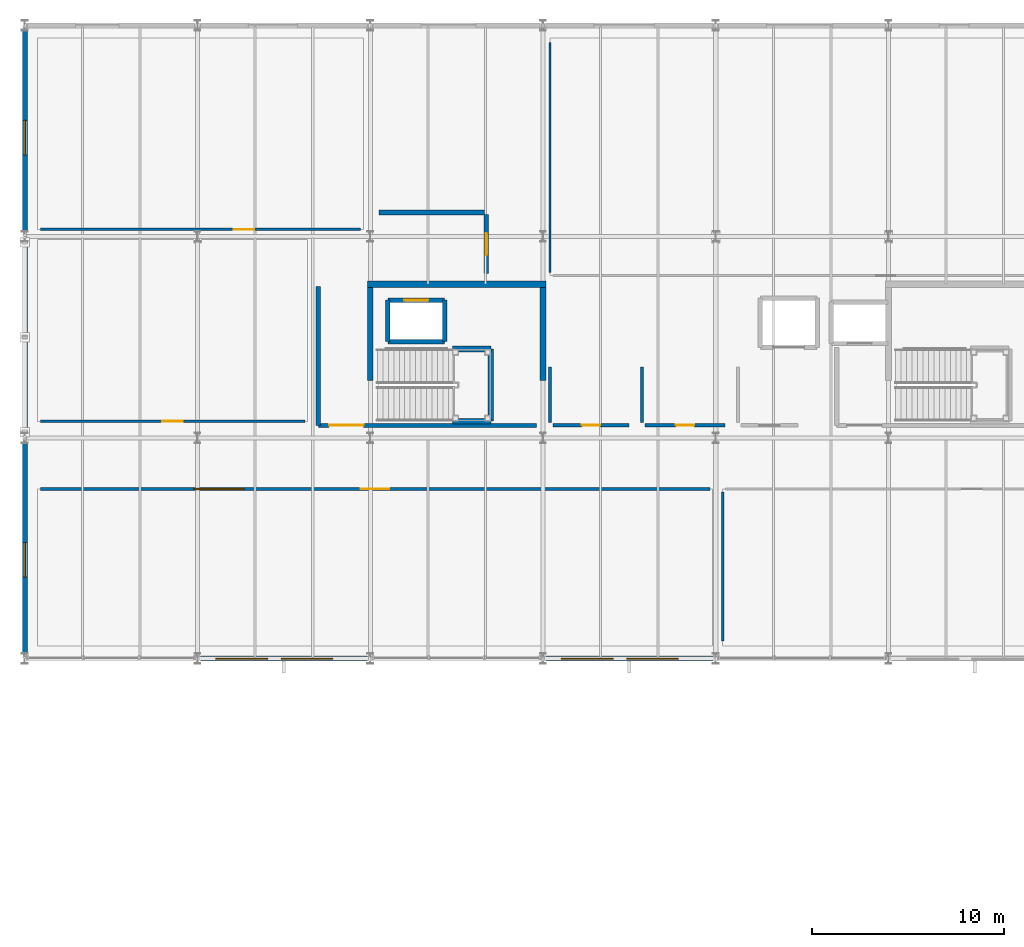
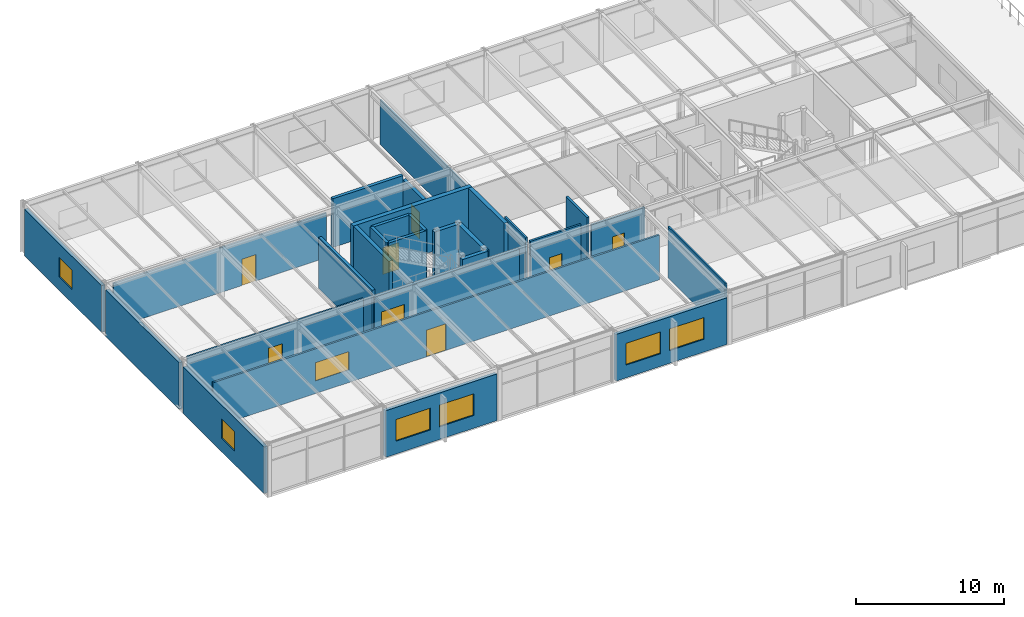
# One storey, part 18 of 44: 28 walls, 8 doors, 7 windows, 15 openings.
"""IFC4 building model written with IfcOpenShell, lengths in metres."""

from ifc_helpers import new_model, si_unit, direction, frame, frame_2d, origin, place, context, subcontext, project, spatial, rectangle, extrude, material, layer, layer_set, type_object, element, fill, save


model = new_model("IFC4")

# Units and contexts
model_context = context("Model", 3, precision=1e-05, world=origin(), true_north=direction((0.0, 1.0)))
body_context = subcontext(model_context, "Body", "Model", "MODEL_VIEW")
ifc_project = project(units=[si_unit("LENGTHUNIT", "METRE"), si_unit("AREAUNIT", "SQUARE_METRE"), si_unit("VOLUMEUNIT", "CUBIC_METRE"), si_unit("PLANEANGLEUNIT", "RADIAN"), si_unit("MASSUNIT", "GRAM", prefix="KILO")], contexts=[model_context])

# Site, building, storey
site_placement = place(None, origin())
site = spatial("IfcSite", under=ifc_project, at=site_placement, CompositionType="ELEMENT")
building_placement = place(site_placement, origin())
building = spatial("IfcBuilding", under=site, at=building_placement, Name="Marlcrest Central Station", CompositionType="ELEMENT")
storey_placement = place(building_placement, frame((0.0, 0.0, 19.5)))
storey = spatial("IfcBuildingStorey", under=building, at=storey_placement, Name="L04", CompositionType="ELEMENT", Elevation=19.5)

# Wall, openings, windows
ifc_material_1 = material(Name="Precast concrete C40/50", Category="concrete")
ifc_layer_1 = layer(ifc_material_1, 0.260009765625, Name="EW-03")
ifc_layer_set_1 = layer_set([ifc_layer_1], Name="Precast concrete C40/50")
wall_type_1 = type_object("IfcWallType", Name="EW-03", PredefinedType="SOLIDWALL", material=ifc_layer_set_1)
wall_1_placement = place(storey_placement, frame((17.85009765625, 99.0, 0.0), z_axis=(0.0, 0.0, 1.0), x_axis=(-1.0, 0.0, 0.0)))
wall_1 = element("IfcWall", 1, at=wall_1_placement, inside=storey, type_object=wall_type_1, Name="ewall-L04-0171", PredefinedType="SOLIDWALL", context=body_context, shape_type="SweptSolid", body=[
    extrude(rectangle(XDim=8.7001953125, YDim=0.260009765625, at=frame_2d((4.35009765625, 0.0))), origin(), (0.0, 0.0, 1.0), 3.85009765625),
])
opening_1_placement = place(wall_1_placement, frame((1.800048828125, 0.0, 1.050048828125)))
opening_1 = element("IfcOpeningElement", 2, at=opening_1_placement, cuts=wall_1, Name="Opening WN-06", PredefinedType="OPENING", context=body_context, shape_type="SweptSolid", body=[
    extrude(rectangle(XDim=2.699951171875, YDim=1.800048828125, at=frame_2d((1.35009765625, 0.89990234375))), frame((0.0, 0.139892578125, 0.0), z_axis=(0.0, -1.0, 0.0), x_axis=(1.0, 0.0, 0.0)), (0.0, 0.0, 1.0), 0.280029296875),
])
opening_2_placement = place(wall_1_placement, frame((5.199951171875, 0.0, 1.050048828125)))
opening_2 = element("IfcOpeningElement", 3, at=opening_2_placement, cuts=wall_1, Name="Opening WN-06", PredefinedType="OPENING", context=body_context, shape_type="SweptSolid", body=[
    extrude(rectangle(XDim=2.699951171875, YDim=1.800048828125, at=frame_2d((1.35009765625, 0.89990234375))), frame((0.0, 0.139892578125, 0.0), z_axis=(0.0, -1.0, 0.0), x_axis=(1.0, 0.0, 0.0)), (0.0, 0.0, 1.0), 0.280029296875),
])
ifc_material_2 = material(Name="Thermally broken bronze-anodised aluminium and laminated low-E glass", Category="aluminium")
window_type_1 = type_object("IfcWindowType", Name="WN-06", PartitioningType="SINGLE_PANEL", PredefinedType="WINDOW", material=ifc_material_2)
window_1_placement = place(opening_1_placement, origin())
window_1 = element("IfcWindow", 4, at=window_1_placement, inside=storey, type_object=window_type_1, Name="ewin-L04-0134", OverallHeight=1.800048828125, OverallWidth=2.699951171875, PartitioningType="SINGLE_PANEL", PredefinedType="WINDOW", context=body_context, shape_type="SweptSolid", body=[
    extrude(rectangle(XDim=2.699951171875, YDim=1.800048828125, at=frame_2d((1.35009765625, 0.89990234375))), frame((0.0, 0.030029296875, 0.0), z_axis=(0.0, -1.0, 0.0), x_axis=(1.0, 0.0, 0.0)), (0.0, 0.0, 1.0), 0.06005859375),
])
fill(opening_1, window_1)
window_2_placement = place(opening_2_placement, origin())
window_2 = element("IfcWindow", 5, at=window_2_placement, inside=storey, type_object=window_type_1, Name="ewin-L04-0135", OverallHeight=1.800048828125, OverallWidth=2.699951171875, PartitioningType="SINGLE_PANEL", PredefinedType="WINDOW", context=body_context, shape_type="SweptSolid", body=[
    extrude(rectangle(XDim=2.699951171875, YDim=1.800048828125, at=frame_2d((1.35009765625, 0.89990234375))), frame((0.0, 0.030029296875, 0.0), z_axis=(0.0, -1.0, 0.0), x_axis=(1.0, 0.0, 0.0)), (0.0, 0.0, 1.0), 0.06005859375),
])
fill(opening_2, window_2)

wall_2_placement = place(storey_placement, frame((35.85009765625, 99.0, 0.0), z_axis=(0.0, 0.0, 1.0), x_axis=(-1.0, 0.0, 0.0)))
wall_2 = element("IfcWall", 6, at=wall_2_placement, inside=storey, type_object=wall_type_1, Name="ewall-L04-0174", PredefinedType="SOLIDWALL", context=body_context, shape_type="SweptSolid", body=[
    extrude(rectangle(XDim=8.7001953125, YDim=0.260009765625, at=frame_2d((4.35009765625, 0.0))), origin(), (0.0, 0.0, 1.0), 3.85009765625),
])
opening_3_placement = place(wall_2_placement, frame((1.800048828125, 0.0, 1.050048828125)))
opening_3 = element("IfcOpeningElement", 7, at=opening_3_placement, cuts=wall_2, Name="Opening WN-06", PredefinedType="OPENING", context=body_context, shape_type="SweptSolid", body=[
    extrude(rectangle(XDim=2.699951171875, YDim=1.800048828125, at=frame_2d((1.35009765625, 0.89990234375))), frame((0.0, 0.139892578125, 0.0), z_axis=(0.0, -1.0, 0.0), x_axis=(1.0, 0.0, 0.0)), (0.0, 0.0, 1.0), 0.280029296875),
])
opening_4_placement = place(wall_2_placement, frame((5.199951171875, 0.0, 1.050048828125)))
opening_4 = element("IfcOpeningElement", 8, at=opening_4_placement, cuts=wall_2, Name="Opening WN-06", PredefinedType="OPENING", context=body_context, shape_type="SweptSolid", body=[
    extrude(rectangle(XDim=2.699951171875, YDim=1.800048828125, at=frame_2d((1.35009765625, 0.89990234375))), frame((0.0, 0.139892578125, 0.0), z_axis=(0.0, -1.0, 0.0), x_axis=(1.0, 0.0, 0.0)), (0.0, 0.0, 1.0), 0.280029296875),
])
window_3_placement = place(opening_3_placement, origin())
window_3 = element("IfcWindow", 9, at=window_3_placement, inside=storey, type_object=window_type_1, Name="ewin-L04-0138", OverallHeight=1.800048828125, OverallWidth=2.699951171875, PartitioningType="SINGLE_PANEL", PredefinedType="WINDOW", context=body_context, shape_type="SweptSolid", body=[
    extrude(rectangle(XDim=2.699951171875, YDim=1.800048828125, at=frame_2d((1.35009765625, 0.89990234375))), frame((0.0, 0.030029296875, 0.0), z_axis=(0.0, -1.0, 0.0), x_axis=(1.0, 0.0, 0.0)), (0.0, 0.0, 1.0), 0.06005859375),
])
fill(opening_3, window_3)
window_4_placement = place(opening_4_placement, origin())
window_4 = element("IfcWindow", 10, at=window_4_placement, inside=storey, type_object=window_type_1, Name="ewin-L04-0139", OverallHeight=1.800048828125, OverallWidth=2.699951171875, PartitioningType="SINGLE_PANEL", PredefinedType="WINDOW", context=body_context, shape_type="SweptSolid", body=[
    extrude(rectangle(XDim=2.699951171875, YDim=1.800048828125, at=frame_2d((1.35009765625, 0.89990234375))), frame((0.0, 0.030029296875, 0.0), z_axis=(0.0, -1.0, 0.0), x_axis=(1.0, 0.0, 0.0)), (0.0, 0.0, 1.0), 0.06005859375),
])
fill(opening_4, window_4)

# Wall, opening, window
wall_3_placement = place(storey_placement, frame((0.0, 99.27490234375, 0.0), z_axis=(0.0, 0.0, 1.0), x_axis=(0.0, 1.0, 0.0)))
wall_3 = element("IfcWall", 11, at=wall_3_placement, inside=storey, type_object=wall_type_1, Name="ewall-L04-0180", PredefinedType="SOLIDWALL", context=body_context, shape_type="SweptSolid", body=[
    extrude(rectangle(XDim=10.9501953125, YDim=0.260009765625, at=frame_2d((5.47509765625, 0.0))), origin(), (0.0, 0.0, 1.0), 3.85009765625),
])
opening_5_placement = place(wall_3_placement, frame((3.97509765625, 0.0, 1.10009765625)))
opening_5 = element("IfcOpeningElement", 12, at=opening_5_placement, cuts=wall_3, Name="Opening WN-01", PredefinedType="OPENING", context=body_context, shape_type="SweptSolid", body=[
    extrude(rectangle(XDim=1.800048828125, YDim=1.60009765625, at=frame_2d((0.89990234375, 0.800048828125))), frame((0.0, 0.139892578125, 0.0), z_axis=(0.0, -1.0, 0.0), x_axis=(1.0, 0.0, 0.0)), (0.0, 0.0, 1.0), 0.280029296875),
])
window_type_2 = type_object("IfcWindowType", Name="WN-01", PartitioningType="SINGLE_PANEL", PredefinedType="WINDOW", material=ifc_material_2)
window_5_placement = place(opening_5_placement, origin())
window_5 = element("IfcWindow", 13, at=window_5_placement, inside=storey, type_object=window_type_2, Name="ewin-L04-0146", OverallHeight=1.60009765625, OverallWidth=1.800048828125, PartitioningType="SINGLE_PANEL", PredefinedType="WINDOW", context=body_context, shape_type="SweptSolid", body=[
    extrude(rectangle(XDim=1.800048828125, YDim=1.60009765625, at=frame_2d((0.89990234375, 0.800048828125))), frame((0.0, 0.030029296875, 0.0), z_axis=(0.0, -1.0, 0.0), x_axis=(1.0, 0.0, 0.0)), (0.0, 0.0, 1.0), 0.06005859375),
])
fill(opening_5, window_5)

# Wall
wall_4_placement = place(storey_placement, frame((0.0, 110.77490234375, 0.0), z_axis=(0.0, 0.0, 1.0), x_axis=(0.0, 1.0, 0.0)))
element("IfcWall", 14, at=wall_4_placement, inside=storey, type_object=wall_type_1, Name="ewall-L04-0181", PredefinedType="SOLIDWALL", context=body_context, shape_type="SweptSolid", body=[
    extrude(rectangle(XDim=9.9501953125, YDim=0.260009765625, at=frame_2d((4.97509765625, 0.0))), origin(), (0.0, 0.0, 1.0), 3.85009765625),
])

# Wall, opening, window
wall_5_placement = place(storey_placement, frame((0.0, 121.27490234375, 0.0), z_axis=(0.0, 0.0, 1.0), x_axis=(0.0, 1.0, 0.0)))
wall_5 = element("IfcWall", 15, at=wall_5_placement, inside=storey, type_object=wall_type_1, Name="ewall-L04-0182", PredefinedType="SOLIDWALL", context=body_context, shape_type="SweptSolid", body=[
    extrude(rectangle(XDim=10.4501953125, YDim=0.260009765625, at=frame_2d((5.22509765625, 0.0))), origin(), (0.0, 0.0, 1.0), 3.85009765625),
])
opening_6_placement = place(wall_5_placement, frame((3.97509765625, 0.0, 1.10009765625)))
opening_6 = element("IfcOpeningElement", 16, at=opening_6_placement, cuts=wall_5, Name="Opening WN-01", PredefinedType="OPENING", context=body_context, shape_type="SweptSolid", body=[
    extrude(rectangle(XDim=1.800048828125, YDim=1.60009765625, at=frame_2d((0.89990234375, 0.800048828125))), frame((0.0, 0.139892578125, 0.0), z_axis=(0.0, -1.0, 0.0), x_axis=(1.0, 0.0, 0.0)), (0.0, 0.0, 1.0), 0.280029296875),
])
window_6_placement = place(opening_6_placement, origin())
window_6 = element("IfcWindow", 17, at=window_6_placement, inside=storey, type_object=window_type_2, Name="ewin-L04-0147", OverallHeight=1.60009765625, OverallWidth=1.800048828125, PartitioningType="SINGLE_PANEL", PredefinedType="WINDOW", context=body_context, shape_type="SweptSolid", body=[
    extrude(rectangle(XDim=1.800048828125, YDim=1.60009765625, at=frame_2d((0.89990234375, 0.800048828125))), frame((0.0, 0.030029296875, 0.0), z_axis=(0.0, -1.0, 0.0), x_axis=(1.0, 0.0, 0.0)), (0.0, 0.0, 1.0), 0.06005859375),
])
fill(opening_6, window_6)

# Walls
ifc_material_3 = material(Name="Acoustic steel-stud gypsum board partition", Category="steel")
ifc_layer_2 = layer(ifc_material_3, 0.1201171875, Name="PT-01")
ifc_layer_set_2 = layer_set([ifc_layer_2], Name="Acoustic steel-stud gypsum board partition")
wall_type_2 = type_object("IfcWallType", Name="PT-01", PredefinedType="PARTITIONING", material=ifc_layer_set_2)
wall_6_placement = place(storey_placement, frame((36.360107421875, 99.909912109375, 0.0), z_axis=(0.0, 0.0, 1.0), x_axis=(0.0, 1.0, 0.0)))
element("IfcWall", 18, at=wall_6_placement, inside=storey, type_object=wall_type_2, Name="iwall-L04-00194", PredefinedType="PARTITIONING", context=body_context, shape_type="SweptSolid", body=[
    extrude(rectangle(XDim=7.780029296875, YDim=0.1201171875, at=frame_2d((3.89013671875, 0.0))), origin(), (0.0, 0.0, 1.0), 4.25),
])
wall_7_placement = place(storey_placement, frame((27.360107421875, 119.110107421875, 0.0), z_axis=(0.0, 0.0, 1.0), x_axis=(0.0, 1.0, 0.0)))
element("IfcWall", 19, at=wall_7_placement, inside=storey, type_object=wall_type_2, Name="iwall-L04-00198", PredefinedType="PARTITIONING", context=body_context, shape_type="SweptSolid", body=[
    extrude(rectangle(XDim=11.97998046875, YDim=0.1201171875, at=frame_2d((5.989990234375, 0.0))), origin(), (0.0, 0.0, 1.0), 3.695068359375),
])

# Wall, openings, door, window
ifc_material_4 = material(Name="Acoustic double-stud partition")
ifc_layer_3 = layer(ifc_material_4, 0.139892578125, Name="PT-02")
ifc_layer_set_3 = layer_set([ifc_layer_3], Name="Acoustic double-stud partition")
wall_type_3 = type_object("IfcWallType", Name="PT-02", PredefinedType="PARTITIONING", material=ifc_layer_set_3)
wall_8_placement = place(storey_placement, frame((0.81005859375, 107.840087890625, 0.0), z_axis=(0.0, 0.0, 1.0), x_axis=(1.0, 0.0, 0.0)))
wall_8 = element("IfcWall", 20, at=wall_8_placement, inside=storey, type_object=wall_type_3, Name="iwall-L04-00192", PredefinedType="PARTITIONING", context=body_context, shape_type="SweptSolid", body=[
    extrude(rectangle(XDim=34.8798828125, YDim=0.139892578125, at=frame_2d((17.43994140625, 0.0))), origin(), (0.0, 0.0, 1.0), 3.695068359375),
])
opening_7_placement = place(wall_8_placement, frame((16.68994140625, 0.0, 0.0)))
opening_7 = element("IfcOpeningElement", 21, at=opening_7_placement, cuts=wall_8, Name="Opening ID-05", PredefinedType="OPENING", context=body_context, shape_type="SweptSolid", body=[
    extrude(rectangle(XDim=1.5, YDim=2.199951171875, at=frame_2d((0.75, 1.10009765625))), frame((0.0, 0.079833984375, 0.0), z_axis=(0.0, -1.0, 0.0), x_axis=(1.0, 0.0, 0.0)), (0.0, 0.0, 1.0), 0.159912109375),
])
opening_8_placement = place(wall_8_placement, frame((8.0, 0.0, 1.050048828125)))
opening_8 = element("IfcOpeningElement", 22, at=opening_8_placement, cuts=wall_8, Name="Opening IW-01", PredefinedType="OPENING", context=body_context, shape_type="SweptSolid", body=[
    extrude(rectangle(XDim=2.60009765625, YDim=1.5, at=frame_2d((1.300048828125, 0.75))), frame((0.0, 0.079833984375, 0.0), z_axis=(0.0, -1.0, 0.0), x_axis=(1.0, 0.0, 0.0)), (0.0, 0.0, 1.0), 0.159912109375),
])
ifc_material_5 = material(Name="Double lounge and meeting door")
door_type_1 = type_object("IfcDoorType", Name="ID-05", OperationType="DOUBLE_DOOR_SINGLE_SWING", PredefinedType="DOOR", material=ifc_material_5)
door_1_placement = place(opening_7_placement, origin())
door_1 = element("IfcDoor", 23, at=door_1_placement, inside=storey, type_object=door_type_1, Name="L04-V5A 0108", OperationType="DOUBLE_DOOR_SINGLE_SWING", OverallHeight=2.199951171875, OverallWidth=1.5, PredefinedType="DOOR", context=body_context, shape_type="SweptSolid", body=[
    extrude(rectangle(XDim=1.5, YDim=2.199951171875, at=frame_2d((0.75, 1.10009765625))), frame((0.0, 0.02490234375, 0.0), z_axis=(0.0, -1.0, 0.0), x_axis=(1.0, 0.0, 0.0)), (0.0, 0.0, 1.0), 0.050048828125),
])
fill(opening_7, door_1)
ifc_material_6 = material(Name="Acoustic laminated internal observation glazing", Category="glass")
window_type_3 = type_object("IfcWindowType", Name="IW-01", PartitioningType="SINGLE_PANEL", PredefinedType="WINDOW", material=ifc_material_6)
window_7_placement = place(opening_8_placement, origin())
window_7 = element("IfcWindow", 24, at=window_7_placement, inside=storey, type_object=window_type_3, Name="iwin-scr-01", OverallHeight=1.5, OverallWidth=2.60009765625, PartitioningType="SINGLE_PANEL", PredefinedType="WINDOW", context=body_context, shape_type="SweptSolid", body=[
    extrude(rectangle(XDim=2.60009765625, YDim=1.5, at=frame_2d((1.300048828125, 0.75))), frame((0.0, 0.030029296875, 0.0), z_axis=(0.0, -1.0, 0.0), x_axis=(1.0, 0.0, 0.0)), (0.0, 0.0, 1.0), 0.06005859375),
])
fill(opening_8, window_7)

# Wall, opening, door
ifc_material_7 = material(Name="Moisture-resistant tiled sanitary partition")
ifc_layer_4 = layer(ifc_material_7, 0.159912109375, Name="PT-03")
ifc_layer_set_4 = layer_set([ifc_layer_4], Name="Moisture-resistant tiled sanitary partition")
wall_type_4 = type_object("IfcWallType", Name="PT-03", PredefinedType="PARTITIONING", material=ifc_layer_set_4)
wall_9_placement = place(storey_placement, frame((31.489990234375, 111.159912109375, 0.0), z_axis=(0.0, 0.0, 1.0), x_axis=(-1.0, 0.0, 0.0)))
wall_9 = element("IfcWall", 25, at=wall_9_placement, inside=storey, type_object=wall_type_4, Name="iwall-L04-00201", PredefinedType="PARTITIONING", context=body_context, shape_type="SweptSolid", body=[
    extrude(rectangle(XDim=3.97998046875, YDim=0.159912109375, at=frame_2d((1.989990234375, 0.0))), origin(), (0.0, 0.0, 1.0), 4.02490234375),
])
opening_9_placement = place(wall_9_placement, frame((1.514892578125, 0.0, 0.0)))
opening_9 = element("IfcOpeningElement", 26, at=opening_9_placement, cuts=wall_9, Name="Opening ID-01", PredefinedType="OPENING", context=body_context, shape_type="SweptSolid", body=[
    extrude(rectangle(XDim=0.949951171875, YDim=2.14990234375, at=frame_2d((0.47509765625, 1.074951171875))), frame((0.0, 0.08984375, 0.0), z_axis=(0.0, -1.0, 0.0), x_axis=(1.0, 0.0, 0.0)), (0.0, 0.0, 1.0), 0.179931640625),
])
ifc_material_8 = material(Name="Solid-core hardwood acoustic door", Category="wood")
door_type_2 = type_object("IfcDoorType", Name="ID-01", OperationType="NOTDEFINED", PredefinedType="DOOR", material=ifc_material_8)
door_2_placement = place(opening_9_placement, origin())
door_2 = element("IfcDoor", 27, at=door_2_placement, inside=storey, type_object=door_type_2, Name="L04-WC-W1 0114", OperationType="SINGLE_SWING_RIGHT", OverallHeight=2.14990234375, OverallWidth=0.949951171875, PredefinedType="DOOR", context=body_context, shape_type="SweptSolid", body=[
    extrude(rectangle(XDim=0.949951171875, YDim=2.14990234375, at=frame_2d((0.47509765625, 1.074951171875))), frame((0.0, 0.02490234375, 0.0), z_axis=(0.0, -1.0, 0.0), x_axis=(1.0, 0.0, 0.0)), (0.0, 0.0, 1.0), 0.050048828125),
])
fill(opening_9, door_2)

# Wall
wall_10_placement = place(storey_placement, frame((27.360107421875, 111.31005859375, 0.0), z_axis=(0.0, 0.0, 1.0), x_axis=(0.0, 1.0, 0.0)))
element("IfcWall", 28, at=wall_10_placement, inside=storey, type_object=wall_type_4, Name="iwall-L04-00202", PredefinedType="PARTITIONING", context=body_context, shape_type="SweptSolid", body=[
    extrude(rectangle(XDim=2.8798828125, YDim=0.159912109375, at=frame_2d((1.43994140625, 0.0))), origin(), (0.0, 0.0, 1.0), 4.25),
])

# Wall, opening, door
wall_11_placement = place(storey_placement, frame((36.489990234375, 111.159912109375, 0.0), z_axis=(0.0, 0.0, 1.0), x_axis=(-1.0, 0.0, 0.0)))
wall_11 = element("IfcWall", 29, at=wall_11_placement, inside=storey, type_object=wall_type_4, Name="iwall-L04-00203", PredefinedType="PARTITIONING", context=body_context, shape_type="SweptSolid", body=[
    extrude(rectangle(XDim=4.179931640625, YDim=0.159912109375, at=frame_2d((2.08984375, 0.0))), origin(), (0.0, 0.0, 1.0), 3.695068359375),
])
opening_10_placement = place(wall_11_placement, frame((1.614990234375, 0.0, 0.0)))
opening_10 = element("IfcOpeningElement", 30, at=opening_10_placement, cuts=wall_11, Name="Opening ID-01", PredefinedType="OPENING", context=body_context, shape_type="SweptSolid", body=[
    extrude(rectangle(XDim=0.949951171875, YDim=2.14990234375, at=frame_2d((0.47509765625, 1.074951171875))), frame((0.0, 0.08984375, 0.0), z_axis=(0.0, -1.0, 0.0), x_axis=(1.0, 0.0, 0.0)), (0.0, 0.0, 1.0), 0.179931640625),
])
door_3_placement = place(opening_10_placement, origin())
door_3 = element("IfcDoor", 31, at=door_3_placement, inside=storey, type_object=door_type_2, Name="L04-WC-W2 0115", OperationType="SINGLE_SWING_LEFT", OverallHeight=2.14990234375, OverallWidth=0.949951171875, PredefinedType="DOOR", context=body_context, shape_type="SweptSolid", body=[
    extrude(rectangle(XDim=0.949951171875, YDim=2.14990234375, at=frame_2d((0.47509765625, 1.074951171875))), frame((0.0, 0.02490234375, 0.0), z_axis=(0.0, -1.0, 0.0), x_axis=(1.0, 0.0, 0.0)), (0.0, 0.0, 1.0), 0.050048828125),
])
fill(opening_10, door_3)

# Wall
wall_12_placement = place(storey_placement, frame((32.159912109375, 111.31005859375, 0.0), z_axis=(0.0, 0.0, 1.0), x_axis=(0.0, 1.0, 0.0)))
element("IfcWall", 32, at=wall_12_placement, inside=storey, type_object=wall_type_4, Name="iwall-L04-00204", PredefinedType="PARTITIONING", context=body_context, shape_type="SweptSolid", body=[
    extrude(rectangle(XDim=2.8798828125, YDim=0.159912109375, at=frame_2d((1.43994140625, 0.0))), origin(), (0.0, 0.0, 1.0), 4.25),
])

# Wall, opening, door
ifc_material_9 = material(Name="Office acoustic glazed-head partition")
ifc_layer_5 = layer(ifc_material_9, 0.1298828125, Name="PT-06")
ifc_layer_set_5 = layer_set([ifc_layer_5], Name="Office acoustic glazed-head partition")
wall_type_5 = type_object("IfcWallType", Name="PT-06", PredefinedType="PARTITIONING", material=ifc_layer_set_5)
wall_13_placement = place(storey_placement, frame((14.590087890625, 111.360107421875, 0.0), z_axis=(0.0, 0.0, 1.0), x_axis=(-1.0, 0.0, 0.0)))
wall_13 = element("IfcWall", 33, at=wall_13_placement, inside=storey, type_object=wall_type_5, Name="iwall-L04-00195", PredefinedType="PARTITIONING", context=body_context, shape_type="SweptSolid", body=[
    extrude(rectangle(XDim=13.780029296875, YDim=0.1298828125, at=frame_2d((6.89013671875, 0.0))), origin(), (0.0, 0.0, 1.0), 3.695068359375),
])
opening_11_placement = place(wall_13_placement, frame((6.35009765625, 0.0, 0.0)))
opening_11 = element("IfcOpeningElement", 34, at=opening_11_placement, cuts=wall_13, Name="Opening ID-08", PredefinedType="OPENING", context=body_context, shape_type="SweptSolid", body=[
    extrude(rectangle(XDim=1.080078125, YDim=2.179931640625, at=frame_2d((0.5400390625, 1.08984375))), frame((0.0, 0.074951171875, 0.0), z_axis=(0.0, -1.0, 0.0), x_axis=(1.0, 0.0, 0.0)), (0.0, 0.0, 1.0), 0.14990234375),
])
ifc_material_10 = material(Name="Training and briefing room door")
door_type_3 = type_object("IfcDoorType", Name="ID-08", OperationType="NOTDEFINED", PredefinedType="DOOR", material=ifc_material_10)
door_4_placement = place(opening_11_placement, origin())
door_4 = element("IfcDoor", 35, at=door_4_placement, inside=storey, type_object=door_type_3, Name="L04-V5D 0110", OperationType="SINGLE_SWING_RIGHT", OverallHeight=2.179931640625, OverallWidth=1.080078125, PredefinedType="DOOR", context=body_context, shape_type="SweptSolid", body=[
    extrude(rectangle(XDim=1.080078125, YDim=2.179931640625, at=frame_2d((0.5400390625, 1.08984375))), frame((0.0, 0.02490234375, 0.0), z_axis=(0.0, -1.0, 0.0), x_axis=(1.0, 0.0, 0.0)), (0.0, 0.0, 1.0), 0.050048828125),
])
fill(opening_11, door_4)

wall_14_placement = place(storey_placement, frame((17.489990234375, 121.360107421875, 0.0), z_axis=(0.0, 0.0, 1.0), x_axis=(-1.0, 0.0, 0.0)))
wall_14 = element("IfcWall", 36, at=wall_14_placement, inside=storey, type_object=wall_type_5, Name="iwall-L04-00196", PredefinedType="PARTITIONING", context=body_context, shape_type="SweptSolid", body=[
    extrude(rectangle(XDim=16.679931640625, YDim=0.1298828125, at=frame_2d((8.33984375, 0.0))), origin(), (0.0, 0.0, 1.0), 3.695068359375),
])
opening_12_placement = place(wall_14_placement, frame((5.52587890625, 0.0, 0.0)))
opening_12 = element("IfcOpeningElement", 37, at=opening_12_placement, cuts=wall_14, Name="Opening ID-08", PredefinedType="OPENING", context=body_context, shape_type="SweptSolid", body=[
    extrude(rectangle(XDim=1.080078125, YDim=2.179931640625, at=frame_2d((0.5400390625, 1.08984375))), frame((0.0, 0.074951171875, 0.0), z_axis=(0.0, -1.0, 0.0), x_axis=(1.0, 0.0, 0.0)), (0.0, 0.0, 1.0), 0.14990234375),
])
door_5_placement = place(opening_12_placement, origin())
door_5 = element("IfcDoor", 38, at=door_5_placement, inside=storey, type_object=door_type_3, Name="L04-V5E 0111", OperationType="SINGLE_SWING_LEFT", OverallHeight=2.179931640625, OverallWidth=1.080078125, PredefinedType="DOOR", context=body_context, shape_type="SweptSolid", body=[
    extrude(rectangle(XDim=1.080078125, YDim=2.179931640625, at=frame_2d((0.5400390625, 1.08984375))), frame((0.0, 0.02490234375, 0.0), z_axis=(0.0, -1.0, 0.0), x_axis=(1.0, 0.0, 0.0)), (0.0, 0.0, 1.0), 0.050048828125),
])
fill(opening_12, door_5)

ifc_material_11 = material(Name="Concrete C40/50", Category="concrete")
ifc_layer_6 = layer(ifc_material_11, 0.22998046875, Name="SHW-01")
ifc_layer_set_6 = layer_set([ifc_layer_6], Name="Concrete C40/50")
wall_type_6 = type_object("IfcWallType", Name="SHW-01", PredefinedType="SOLIDWALL", material=ifc_layer_set_6)
wall_15_placement = place(storey_placement, frame((18.919921875, 117.679931640625, 0.0), z_axis=(0.0, 0.0, 1.0), x_axis=(1.0, 0.0, 0.0)))
wall_15 = element("IfcWall", 39, at=wall_15_placement, inside=storey, type_object=wall_type_6, Name="iwall-L04-00363", PredefinedType="SOLIDWALL", context=body_context, shape_type="SweptSolid", body=[
    extrude(rectangle(XDim=2.9599609375, YDim=0.22998046875, at=frame_2d((1.47998046875, 0.0))), origin(), (0.0, 0.0, 1.0), 4.260009765625),
])
opening_13_placement = place(wall_15_placement, frame((0.85498046875, 0.0, 0.0)))
opening_13 = element("IfcOpeningElement", 40, at=opening_13_placement, cuts=wall_15, Name="Opening LD-02", PredefinedType="OPENING", context=body_context, shape_type="SweptSolid", body=[
    extrude(rectangle(XDim=1.25, YDim=2.199951171875, at=frame_2d((0.625, 1.10009765625))), frame((0.0, 0.125, 0.0), z_axis=(0.0, -1.0, 0.0), x_axis=(1.0, 0.0, 0.0)), (0.0, 0.0, 1.0), 0.25),
])
ifc_material_12 = material(Name="Stainless steel stretcher/firefighting lift landing door", Category="steel")
door_type_4 = type_object("IfcDoorType", Name="LD-02", OperationType="DOUBLE_DOOR_SLIDING", PredefinedType="DOOR", material=ifc_material_12)
door_6_placement = place(opening_13_placement, origin())
door_6 = element("IfcDoor", 41, at=door_6_placement, inside=storey, type_object=door_type_4, Name="LF-FF1 Lift Landing Door 0161", OperationType="DOUBLE_DOOR_SLIDING", OverallHeight=2.199951171875, OverallWidth=1.25, PredefinedType="DOOR", context=body_context, shape_type="SweptSolid", body=[
    extrude(rectangle(XDim=1.25, YDim=2.199951171875, at=frame_2d((0.625, 1.10009765625))), frame((0.0, 0.02490234375, 0.0), z_axis=(0.0, -1.0, 0.0), x_axis=(1.0, 0.0, 0.0)), (0.0, 0.0, 1.0), 0.050048828125),
])
fill(opening_13, door_6)

# Walls
wall_16_placement = place(storey_placement, frame((21.8798828125, 115.52001953125, 0.0), z_axis=(0.0, 0.0, 1.0), x_axis=(-1.0, 0.0, 0.0)))
element("IfcWall", 42, at=wall_16_placement, inside=storey, type_object=wall_type_6, Name="iwall-L04-00364", PredefinedType="SOLIDWALL", context=body_context, shape_type="SweptSolid", body=[
    extrude(rectangle(XDim=2.9599609375, YDim=0.22998046875, at=frame_2d((1.47998046875, 0.0))), origin(), (0.0, 0.0, 1.0), 4.260009765625),
])
for number, where, z_axis, x_axis, name in (
    (43, (18.919921875, 115.52001953125, 0.0), (0.0, 0.0, 1.0), (0.0, 1.0, 0.0), "iwall-L04-00365"),
    (44, (21.8798828125, 117.679931640625, 0.0), (0.0, 0.0, 1.0), (0.0, -1.0, 0.0), "iwall-L04-00366"),
):
    element("IfcWall", number, at=place(storey_placement, frame(where, z_axis=z_axis, x_axis=x_axis)), inside=storey, type_object=wall_type_6, Name=name, PredefinedType="SOLIDWALL", context=body_context, shape_type="SweptSolid", body=[
        extrude(rectangle(XDim=2.159912109375, YDim=0.22998046875, at=frame_2d((1.080078125, 0.0))), origin(), (0.0, 0.0, 1.0), 4.260009765625),
    ])

# Wall, opening, door
wall_17_placement = place(storey_placement, frame((15.300048828125, 111.14990234375, 0.0), z_axis=(0.0, 0.0, 1.0), x_axis=(1.0, 0.0, 0.0)))
wall_17 = element("IfcWall", 45, at=wall_17_placement, inside=storey, type_object=wall_type_6, Name="iwall-L04-00445", PredefinedType="SOLIDWALL", context=body_context, shape_type="SweptSolid", body=[
    extrude(rectangle(XDim=11.349853515625, YDim=0.22998046875, at=frame_2d((5.6748046875, 0.0))), origin(), (0.0, 0.0, 1.0), 3.695068359375),
])
opening_14_placement = place(wall_17_placement, frame((0.550048828125, 0.0, 0.0)))
opening_14 = element("IfcOpeningElement", 46, at=opening_14_placement, cuts=wall_17, Name="Opening FD-90D", PredefinedType="OPENING", context=body_context, shape_type="SweptSolid", body=[
    extrude(rectangle(XDim=1.800048828125, YDim=2.300048828125, at=frame_2d((0.89990234375, 1.14990234375))), frame((0.0, 0.125, 0.0), z_axis=(0.0, -1.0, 0.0), x_axis=(1.0, 0.0, 0.0)), (0.0, 0.0, 1.0), 0.25),
])
ifc_material_13 = material(Name="90-minute double exit-stair fire door")
door_type_5 = type_object("IfcDoorType", Name="FD-90D", OperationType="DOUBLE_DOOR_SINGLE_SWING", PredefinedType="DOOR", material=ifc_material_13)
door_7_placement = place(opening_14_placement, origin())
door_7 = element("IfcDoor", 47, at=door_7_placement, inside=storey, type_object=door_type_5, Name="ST-W14 Stair Door 0192", OperationType="DOUBLE_DOOR_SINGLE_SWING", OverallHeight=2.300048828125, OverallWidth=1.800048828125, PredefinedType="DOOR", context=body_context, shape_type="SweptSolid", body=[
    extrude(rectangle(XDim=1.800048828125, YDim=2.300048828125, at=frame_2d((0.89990234375, 1.14990234375))), frame((0.0, 0.02490234375, 0.0), z_axis=(0.0, -1.0, 0.0), x_axis=(1.0, 0.0, 0.0)), (0.0, 0.0, 1.0), 0.050048828125),
])
fill(opening_14, door_7)

# Wall
wall_18_placement = place(storey_placement, frame((15.300048828125, 111.14990234375, 0.0), z_axis=(0.0, 0.0, 1.0), x_axis=(0.0, 1.0, 0.0)))
element("IfcWall", 48, at=wall_18_placement, inside=storey, type_object=wall_type_6, Name="iwall-L04-00446", PredefinedType="SOLIDWALL", context=body_context, shape_type="SweptSolid", body=[
    extrude(rectangle(XDim=7.25, YDim=0.22998046875, at=frame_2d((3.625, 0.0))), origin(), (0.0, 0.0, 1.0), 4.25),
])

# Wall, opening, door
ifc_layer_7 = layer(ifc_material_11, 0.25, Name="SHW-02")
ifc_layer_set_7 = layer_set([ifc_layer_7], Name="Concrete C40/50")
wall_type_7 = type_object("IfcWallType", Name="SHW-02", PredefinedType="SOLIDWALL", material=ifc_layer_set_7)
wall_19_placement = place(storey_placement, frame((24.0400390625, 119.06005859375, 0.0), z_axis=(0.0, 0.0, 1.0), x_axis=(0.0, 1.0, 0.0)))
wall_19 = element("IfcWall", 49, at=wall_19_placement, inside=storey, type_object=wall_type_7, Name="iwall-L04-00199", PredefinedType="SOLIDWALL", context=body_context, shape_type="SweptSolid", body=[
    extrude(rectangle(XDim=3.079833984375, YDim=0.25, at=frame_2d((1.5400390625, 0.0))), origin(), (0.0, 0.0, 1.0), 3.695068359375),
])
opening_15_placement = place(wall_19_placement, frame((0.965087890625, 0.0, 0.0)))
opening_15 = element("IfcOpeningElement", 50, at=opening_15_placement, cuts=wall_19, Name="Opening FD-90", PredefinedType="OPENING", context=body_context, shape_type="SweptSolid", body=[
    extrude(rectangle(XDim=1.14990234375, YDim=2.199951171875, at=frame_2d((0.574951171875, 1.10009765625))), frame((0.0, 0.135009765625, 0.0), z_axis=(0.0, -1.0, 0.0), x_axis=(1.0, 0.0, 0.0)), (0.0, 0.0, 1.0), 0.27001953125),
])
ifc_material_14 = material(Name="90-minute stair and firefighting-lobby fire door")
door_type_6 = type_object("IfcDoorType", Name="FD-90", OperationType="NOTDEFINED", PredefinedType="DOOR", material=ifc_material_14)
door_8_placement = place(opening_15_placement, origin())
door_8 = element("IfcDoor", 51, at=door_8_placement, inside=storey, type_object=door_type_6, Name="L04-FFL 0113", OperationType="SINGLE_SWING_LEFT", OverallHeight=2.199951171875, OverallWidth=1.14990234375, PredefinedType="DOOR", context=body_context, shape_type="SweptSolid", body=[
    extrude(rectangle(XDim=1.14990234375, YDim=2.199951171875, at=frame_2d((0.574951171875, 1.10009765625))), frame((0.0, 0.02490234375, 0.0), z_axis=(0.0, -1.0, 0.0), x_axis=(1.0, 0.0, 0.0)), (0.0, 0.0, 1.0), 0.050048828125),
])
fill(opening_15, door_8)

# Walls
wall_20_placement = place(storey_placement, frame((18.4599609375, 122.239990234375, 0.0), z_axis=(0.0, 0.0, 1.0), x_axis=(1.0, 0.0, 0.0)))
element("IfcWall", 52, at=wall_20_placement, inside=storey, type_object=wall_type_7, Name="iwall-L04-00200", PredefinedType="SOLIDWALL", context=body_context, shape_type="SweptSolid", body=[
    extrude(rectangle(XDim=5.47998046875, YDim=0.25, at=frame_2d((2.739990234375, 0.0))), origin(), (0.0, 0.0, 1.0), 4.02490234375),
])
ifc_material_15 = material(Name="Concrete C50/60", Category="concrete")
ifc_layer_8 = layer(ifc_material_15, 0.35009765625, Name="SW-01")
ifc_layer_set_8 = layer_set([ifc_layer_8], Name="Concrete C50/60")
wall_type_8 = type_object("IfcWallType", Name="SW-01", PredefinedType="SHEAR", material=ifc_layer_set_8)
wall_21_placement = place(storey_placement, frame((17.85009765625, 118.5, 0.0), z_axis=(0.0, 0.0, 1.0), x_axis=(1.0, 0.0, 0.0)))
element("IfcWall", 53, at=wall_21_placement, inside=storey, type_object=wall_type_8, Name="swall-L04-0035", PredefinedType="SHEAR", context=body_context, shape_type="SweptSolid", body=[
    extrude(rectangle(XDim=9.2998046875, YDim=0.35009765625, at=frame_2d((4.64990234375, 0.0))), origin(), (0.0, 0.0, 1.0), 4.27490234375),
])
ifc_layer_9 = layer(ifc_material_15, 0.300048828125, Name="SW-02")
ifc_layer_set_9 = layer_set([ifc_layer_9], Name="Concrete C50/60")
wall_type_9 = type_object("IfcWallType", Name="SW-02", PredefinedType="SHEAR", material=ifc_layer_set_9)
for number, where, z_axis, x_axis, name in (
    (54, (18.0, 113.5, 0.0), (0.0, 0.0, 1.0), (0.0, 1.0, 0.0), "swall-L04-0036"),
    (55, (27.0, 113.5, 0.0), (0.0, 0.0, 1.0), (0.0, 1.0, 0.0), "swall-L04-0037"),
):
    element("IfcWall", number, at=place(storey_placement, frame(where, z_axis=z_axis, x_axis=x_axis)), inside=storey, type_object=wall_type_9, Name=name, PredefinedType="SHEAR", context=body_context, shape_type="SweptSolid", body=[
        extrude(rectangle(XDim=4.824951171875, YDim=0.300048828125, at=frame_2d((2.41259765625, 0.0))), origin(), (0.0, 0.0, 1.0), 4.27490234375),
    ])
wall_22_placement = place(storey_placement, frame((22.280029296875, 111.3701171875, 0.0), z_axis=(0.0, 0.0, 1.0), x_axis=(1.0, 0.0, 0.0)))
element("IfcWall", 56, at=wall_22_placement, inside=storey, type_object=wall_type_9, Name="htsw-0052-S", PredefinedType="SHEAR", context=body_context, shape_type="SweptSolid", body=[
    extrude(rectangle(XDim=2.0, YDim=0.300048828125, at=frame_2d((1.0, 0.0))), origin(), (0.0, 0.0, 1.0), 4.25),
])
wall_23_placement = place(storey_placement, frame((24.280029296875, 111.3701171875, 0.0), z_axis=(0.0, 0.0, 1.0), x_axis=(0.0, 1.0, 0.0)))
element("IfcWall", 57, at=wall_23_placement, inside=storey, type_object=wall_type_9, Name="htsw-0052-E", PredefinedType="SHEAR", context=body_context, shape_type="SweptSolid", body=[
    extrude(rectangle(XDim=3.759765625, YDim=0.300048828125, at=frame_2d((1.8798828125, 0.0))), origin(), (0.0, 0.0, 1.0), 4.25),
])
wall_24_placement = place(storey_placement, frame((24.280029296875, 115.1298828125, 0.0), z_axis=(0.0, 0.0, 1.0), x_axis=(-1.0, 0.0, 0.0)))
element("IfcWall", 58, at=wall_24_placement, inside=storey, type_object=wall_type_9, Name="htsw-0052-N", PredefinedType="SHEAR", context=body_context, shape_type="SweptSolid", body=[
    extrude(rectangle(XDim=2.0, YDim=0.300048828125, at=frame_2d((1.0, 0.0))), origin(), (0.0, 0.0, 1.0), 4.25),
])

save(model, "model.ifc")
